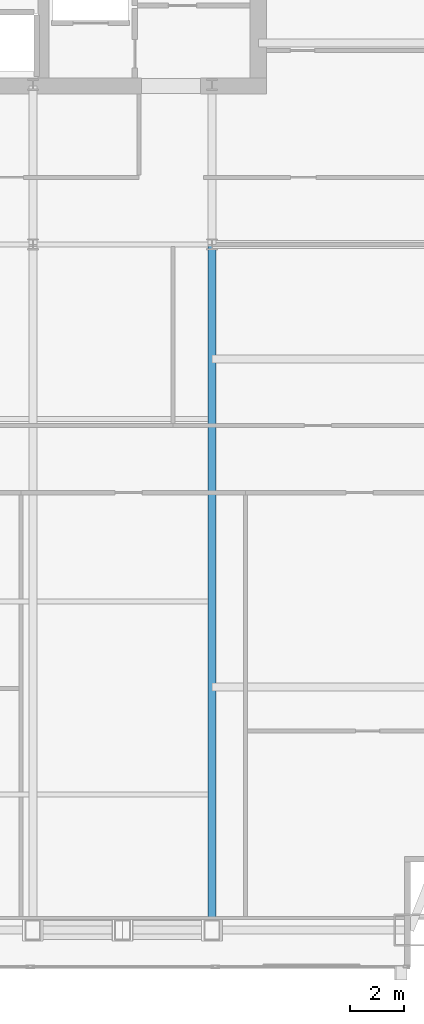
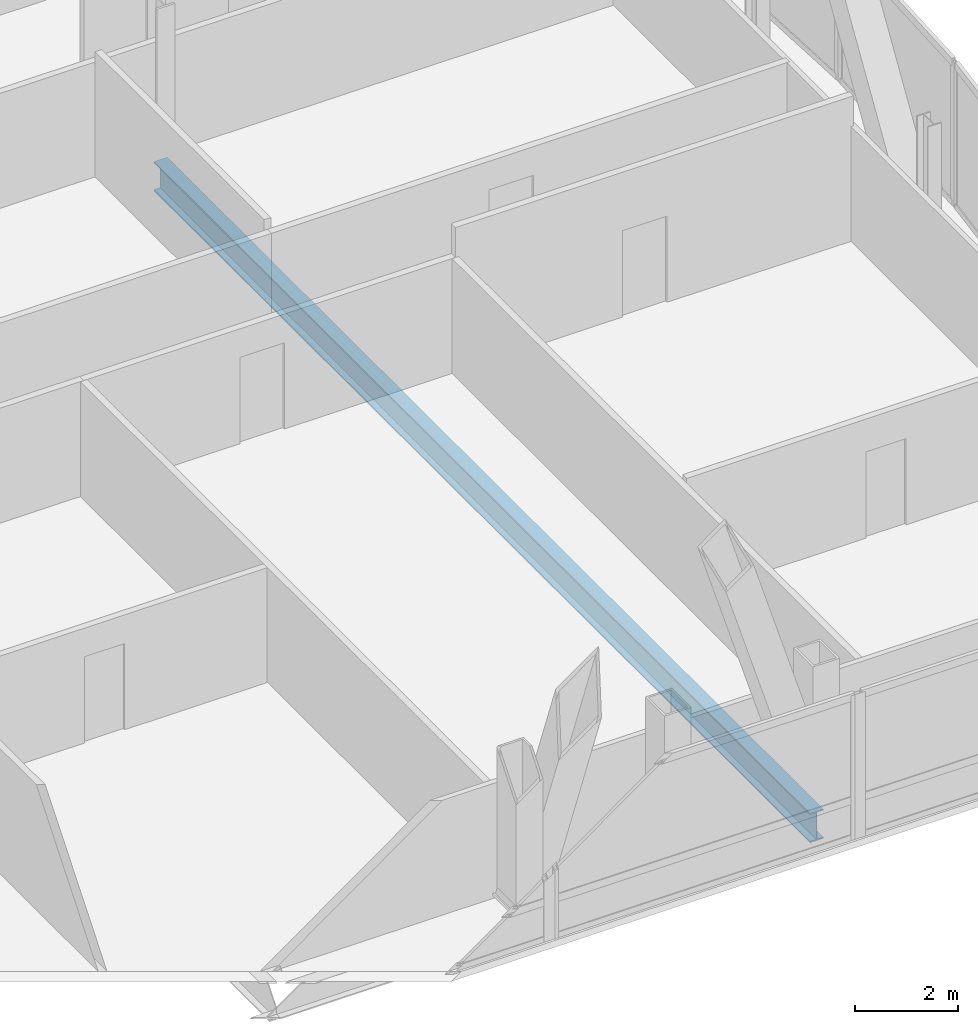
# One storey, part 16 of 32: 1 beam.
"""IFC4 building model written with IfcOpenShell, lengths in metres."""

from ifc_helpers import new_model, si_unit, direction, frame, origin, origin_2d, place, context, subcontext, project, spatial, i_section, extrude, material, material_profile, profile_set, type_object, element, save


model = new_model("IFC4")

# Units and contexts
model_context = context("Model", 3, precision=1e-05, world=origin(), true_north=direction((0.0, 1.0)))
body_context = subcontext(model_context, "Body", "Model", "MODEL_VIEW")
ifc_project = project(units=[si_unit("LENGTHUNIT", "METRE"), si_unit("AREAUNIT", "SQUARE_METRE"), si_unit("VOLUMEUNIT", "CUBIC_METRE"), si_unit("PLANEANGLEUNIT", "RADIAN"), si_unit("MASSUNIT", "GRAM", prefix="KILO")], contexts=[model_context])

# Site, building, storey
site_placement = place(None, origin())
site = spatial("IfcSite", under=ifc_project, at=site_placement, CompositionType="ELEMENT")
building_placement = place(site_placement, origin())
building = spatial("IfcBuilding", under=site, at=building_placement, Name="Khoronbel Lancet Exchange", CompositionType="ELEMENT")
storey_placement = place(building_placement, frame((0.0, 0.0, 199.39990234375)))
storey = spatial("IfcBuildingStorey", under=building, at=storey_placement, Name="L50", CompositionType="ELEMENT", Elevation=199.39990234375)

# Beam
ifc_material = material(Name="Steel S355", Category="steel")
ifc_material_profile = material_profile(ifc_material, i_section(OverallWidth=0.300048828125, OverallDepth=0.699951171875, WebThickness=0.01708984375, FlangeThickness=0.031982421875, at=origin_2d()), Name="HEB 700")
ifc_profile_set = profile_set([ifc_material_profile], Name="Steel S355")
beam_type = type_object("IfcBeamType", Name="BM-BG3", PredefinedType="BEAM", material=ifc_profile_set)
beam_placement = place(storey_placement, frame((54.675048828125, 10.14990234375, -0.510009765625), z_axis=(0.0, 1.0, 0.0), x_axis=(-1.0, 0.0, 0.0)))
element("IfcBeam", 1, at=beam_placement, inside=storey, type_object=beam_type, Name="Level L50 south primary girder GS6", PredefinedType="BEAM", context=body_context, shape_type="SweptSolid", body=[
    extrude(i_section(OverallWidth=0.300048828125, OverallDepth=0.699951171875, WebThickness=0.01708984375, FlangeThickness=0.031982421875, at=origin_2d()), origin(), (0.0, 0.0, 1.0), 25.550048828125),
])

save(model, "model.ifc")
